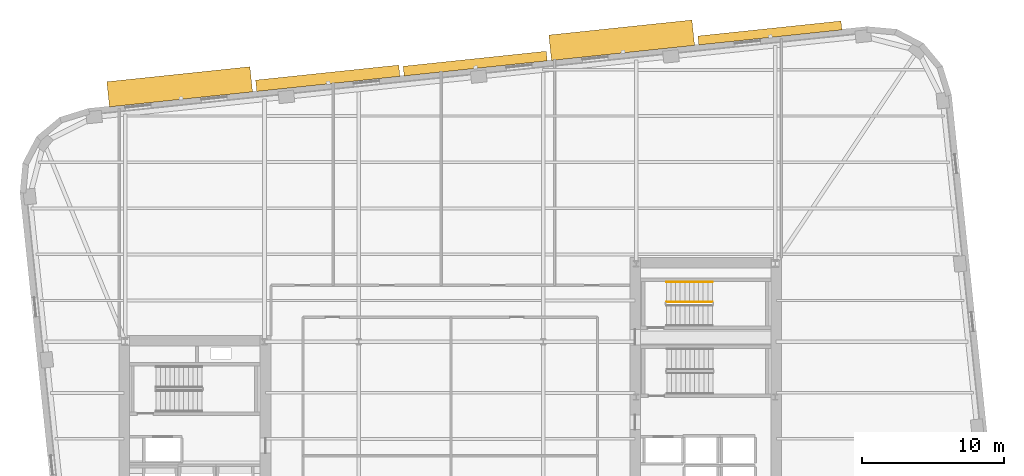
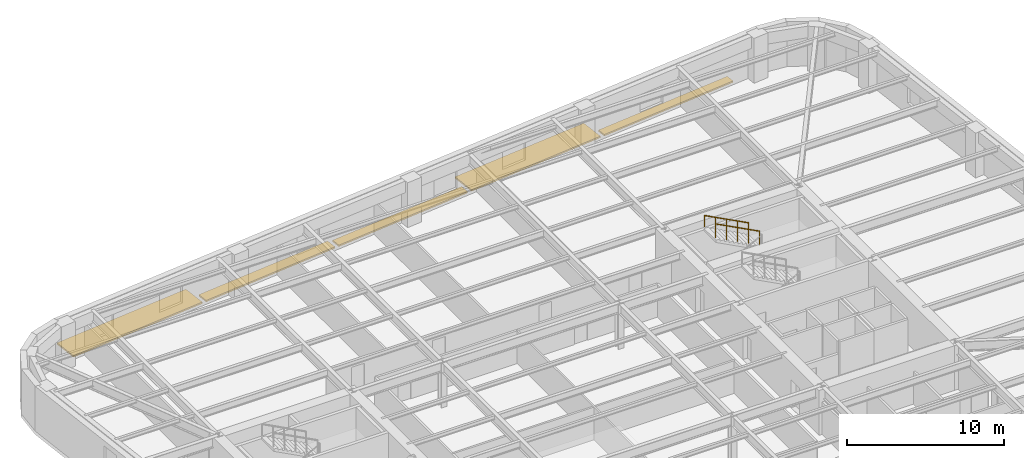
# One storey, part 11 of 11: 5 shading devices, 2 railings.
"""IFC4 building model written with IfcOpenShell, lengths in metres."""

from ifc_helpers import new_model, si_unit, direction, frame, origin, origin_2d, place, context, subcontext, project, spatial, rectangle, circle, extrude, material, type_object, element, save


model = new_model("IFC4")

# Units and contexts
model_context = context("Model", 3, precision=1e-05, world=origin(), true_north=direction((0.0, 1.0)))
body_context = subcontext(model_context, "Body", "Model", "MODEL_VIEW")
ifc_project = project(units=[si_unit("LENGTHUNIT", "METRE"), si_unit("AREAUNIT", "SQUARE_METRE"), si_unit("VOLUMEUNIT", "CUBIC_METRE"), si_unit("PLANEANGLEUNIT", "RADIAN"), si_unit("MASSUNIT", "GRAM", prefix="KILO")], contexts=[model_context])

# Site, building, storey
site_placement = place(None, origin())
site = spatial("IfcSite", under=ifc_project, at=site_placement, CompositionType="ELEMENT")
building_placement = place(site_placement, origin())
building = spatial("IfcBuilding", under=site, at=building_placement, Name="Kolvaren Arena Tower", CompositionType="ELEMENT")
storey_placement = place(building_placement, frame((0.0, 0.0, 134.5)))
storey = spatial("IfcBuildingStorey", under=building, at=storey_placement, Name="L31", CompositionType="ELEMENT", Elevation=134.5)

# Railings
ifc_material_1 = material(Name="Painted galvanized steel", Category="steel")
railing_type_1 = type_object("IfcRailingType", Name="GUARD-ST-110", PredefinedType="GUARDRAIL", material=ifc_material_1)
railing_1_placement = place(storey_placement, frame((55.919921875, 36.64990234375, 2.04541015625)))
element("IfcRailing", 1, at=railing_1_placement, inside=storey, type_object=railing_type_1, Name="L31 ST-E2 stair guard 3", PredefinedType="GUARDRAIL", context=body_context, shape_type="SweptSolid", body=[
    extrude(circle(Radius=0.02392578125, at=origin_2d()), frame((0.0, 0.0, 1.076171875), z_axis=(-0.884993431791, 0.0, 0.465603506952), x_axis=(0.0, -1.0, 0.0)), (0.0, 0.0, 1.0), 3.6611328125),
    extrude(circle(Radius=0.02099609375, at=origin_2d()), origin(), (0.0, 0.0, 1.0), 1.052001953125),
    extrude(circle(Radius=0.02099609375, at=origin_2d()), frame((-0.81005859375, 0.0, 0.42626953125)), (0.0, 0.0, 1.0), 1.052001953125),
    extrude(circle(Radius=0.02099609375, at=origin_2d()), frame((-1.6201171875, 0.0, 0.852294921875)), (0.0, 0.0, 1.0), 1.052001953125),
    extrude(circle(Radius=0.02099609375, at=origin_2d()), frame((-2.429931640625, 0.0, 1.2783203125)), (0.0, 0.0, 1.0), 1.052001953125),
    extrude(circle(Radius=0.02099609375, at=origin_2d()), frame((-3.239990234375, 0.0, 1.70458984375)), (0.0, 0.0, 1.0), 1.052001953125),
])
ifc_material_2 = material(Name="Brushed stainless steel handrail", Category="steel")
railing_type_2 = type_object("IfcRailingType", Name="HRAIL-900", PredefinedType="HANDRAIL", material=ifc_material_2)
railing_2_placement = place(storey_placement, frame((55.919921875, 38.050048828125, 2.04541015625)))
element("IfcRailing", 2, at=railing_2_placement, inside=storey, type_object=railing_type_2, Name="L31 ST-E2 stair handrail 2", PredefinedType="HANDRAIL", context=body_context, shape_type="SweptSolid", body=[
    extrude(circle(Radius=0.02392578125, at=origin_2d()), frame((0.0, 0.0, 0.8759765625), z_axis=(-0.884993431791, 0.0, 0.465603506952), x_axis=(0.0, -1.0, 0.0)), (0.0, 0.0, 1.0), 3.6611328125),
    extrude(circle(Radius=0.02099609375, at=origin_2d()), origin(), (0.0, 0.0, 1.0), 0.851806640625),
    extrude(circle(Radius=0.02099609375, at=origin_2d()), frame((-0.81005859375, 0.0, 0.42626953125)), (0.0, 0.0, 1.0), 0.851806640625),
    extrude(circle(Radius=0.02099609375, at=origin_2d()), frame((-1.6201171875, 0.0, 0.852294921875)), (0.0, 0.0, 1.0), 0.851806640625),
    extrude(circle(Radius=0.02099609375, at=origin_2d()), frame((-2.429931640625, 0.0, 1.2783203125)), (0.0, 0.0, 1.0), 0.851806640625),
    extrude(circle(Radius=0.02099609375, at=origin_2d()), frame((-3.239990234375, 0.0, 1.70458984375)), (0.0, 0.0, 1.0), 0.851806640625),
])

# Shading devices
ifc_material_3 = material(Name="Architectural precast GFRC and anodised aluminium sunshade", Category="concrete")
shading_device_type_1 = type_object("IfcShadingDeviceType", Name="SHAD-SINE-A", PredefinedType="USERDEFINED", material=ifc_material_3)
shading_device_1_placement = place(storey_placement, frame((28.81689453125, 52.414794921875, -0.14013671875), z_axis=(0.0, 0.0, 1.0), x_axis=(0.994522077803, 0.104526727499, 0.0)))
element("IfcShadingDevice", 3, at=shading_device_1_placement, inside=storey, type_object=shading_device_type_1, Name="Sinusoidal Slab-Edge Sunshade Louvre (L31)", ObjectType="LOUVRE", PredefinedType="USERDEFINED", context=body_context, shape_type="SweptSolid", body=[
    extrude(rectangle(XDim=10.139892578125, YDim=0.80029296875, at=origin_2d()), origin(), (0.0, 0.0, 1.0), 0.1201171875),
])
shading_device_2_placement = place(storey_placement, frame((39.205810546875, 53.4482421875, -0.14013671875), z_axis=(0.0, 0.0, 1.0), x_axis=(0.994522077803, 0.104526727499, 0.0)))
element("IfcShadingDevice", 4, at=shading_device_2_placement, inside=storey, type_object=shading_device_type_1, Name="Sinusoidal Slab-Edge Sunshade Louvre (L31)", ObjectType="LOUVRE", PredefinedType="USERDEFINED", context=body_context, shape_type="SweptSolid", body=[
    extrude(rectangle(XDim=10.139892578125, YDim=0.68408203125, at=origin_2d()), origin(), (0.0, 0.0, 1.0), 0.1201171875),
])
shading_device_3_placement = place(storey_placement, frame((59.97412109375, 55.605224609375, -0.14013671875), z_axis=(0.0, 0.0, 1.0), x_axis=(0.994522077803, 0.104526727499, 0.0)))
element("IfcShadingDevice", 5, at=shading_device_3_placement, inside=storey, type_object=shading_device_type_1, Name="Sinusoidal Slab-Edge Sunshade Louvre (L31)", ObjectType="LOUVRE", PredefinedType="USERDEFINED", context=body_context, shape_type="SweptSolid", body=[
    extrude(rectangle(XDim=10.139892578125, YDim=0.6328125, at=origin_2d()), origin(), (0.0, 0.0, 1.0), 0.1201171875),
])
shading_device_type_2 = type_object("IfcShadingDeviceType", Name="SHAD-SINE-B", PredefinedType="JALOUSIE", material=ifc_material_3)
shading_device_4_placement = place(storey_placement, frame((18.3828125, 51.8115234375, -0.14013671875), z_axis=(0.0, 0.0, 1.0), x_axis=(0.994522077803, 0.104526727499, 0.0)))
element("IfcShadingDevice", 6, at=shading_device_4_placement, inside=storey, type_object=shading_device_type_2, Name="Sinusoidal Slab-Edge Sunshade Louvre (L31)", PredefinedType="JALOUSIE", context=body_context, shape_type="SweptSolid", body=[
    extrude(rectangle(XDim=10.139892578125, YDim=1.781982421875, at=origin_2d()), origin(), (0.0, 0.0, 1.0), 0.1201171875),
])
shading_device_5_placement = place(storey_placement, frame((49.5302734375, 55.093994140625, -0.14013671875), z_axis=(0.0, 0.0, 1.0), x_axis=(0.994522077803, 0.104526727499, 0.0)))
element("IfcShadingDevice", 7, at=shading_device_5_placement, inside=storey, type_object=shading_device_type_2, Name="Sinusoidal Slab-Edge Sunshade Louvre (L31)", PredefinedType="JALOUSIE", context=body_context, shape_type="SweptSolid", body=[
    extrude(rectangle(XDim=10.139892578125, YDim=1.79931640625, at=origin_2d()), origin(), (0.0, 0.0, 1.0), 0.1201171875),
])

save(model, "model.ifc")
